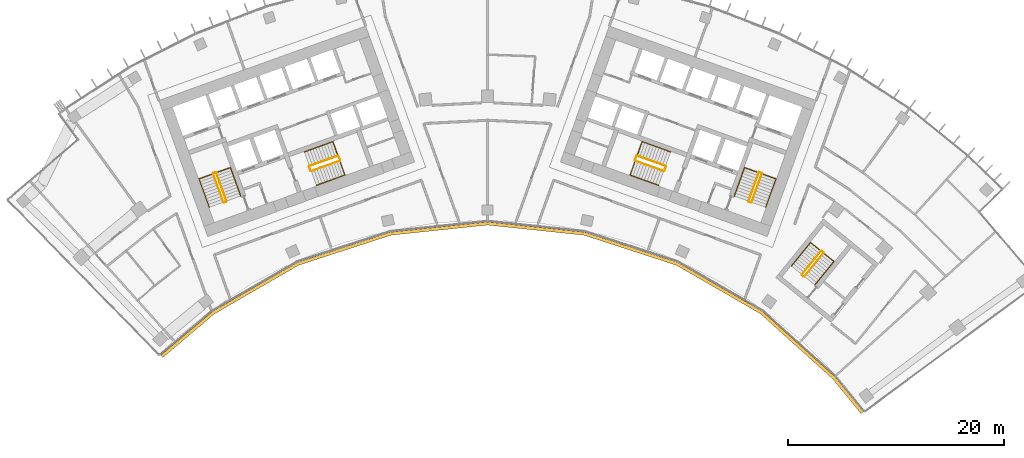
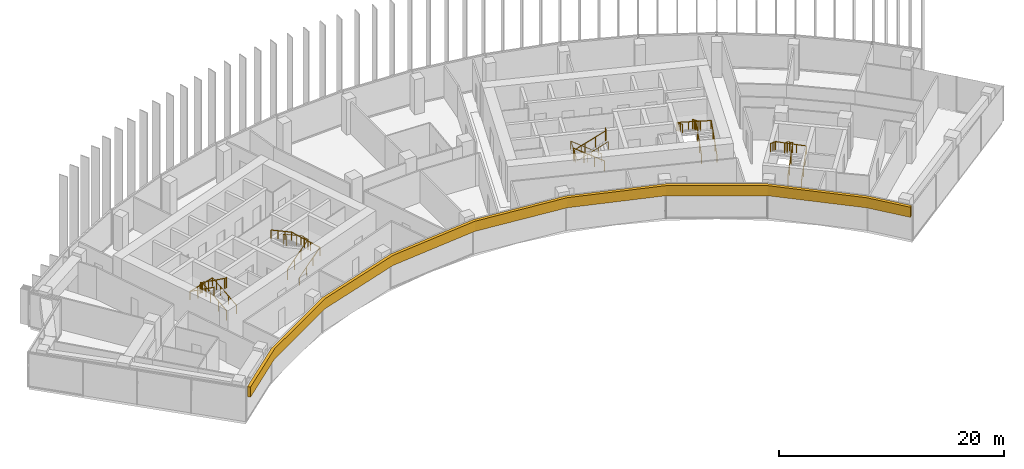
# One storey, part 19 of 19: 15 railings, 1 covering.
"""IFC4 building model written with IfcOpenShell, lengths in metres."""

from ifc_helpers import new_model, si_unit, direction, frame, origin, origin_2d, place, context, subcontext, project, spatial, polyline, circle, outline, extrude, material, layer, layer_set, type_object, element, save


model = new_model("IFC4")

# Units and contexts
model_context = context("Model", 3, precision=1e-05, world=origin(), true_north=direction((0.0, 1.0)))
body_context = subcontext(model_context, "Body", "Model", "MODEL_VIEW")
ifc_project = project(units=[si_unit("LENGTHUNIT", "METRE"), si_unit("AREAUNIT", "SQUARE_METRE"), si_unit("VOLUMEUNIT", "CUBIC_METRE"), si_unit("PLANEANGLEUNIT", "RADIAN"), si_unit("MASSUNIT", "GRAM", prefix="KILO")], contexts=[model_context])

# Site, building, storey
site_placement = place(None, origin())
site = spatial("IfcSite", under=ifc_project, at=site_placement, CompositionType="ELEMENT")
building_placement = place(site_placement, origin())
building = spatial("IfcBuilding", under=site, at=building_placement, Name="Stone Belt Terrace Tower", CompositionType="ELEMENT")
storey_placement = place(building_placement, frame((0.0, 0.0, 223.800048828125)))
storey = spatial("IfcBuildingStorey", under=building, at=storey_placement, Name="L54", CompositionType="ELEMENT", Elevation=223.800048828125)

# Railings
ifc_material_1 = material(Name="Structural steel C345", Category="steel")
railing_type_1 = type_object("IfcRailingType", Name="Stair guard 1100", PredefinedType="GUARDRAIL", material=ifc_material_1)
railing_1_placement = place(storey_placement, frame((-24.2119140625, 45.276123046875, 0.172607421875)))
element("IfcRailing", 1, at=railing_1_placement, inside=storey, type_object=railing_type_1, Name="L54 ST1A stair guard 1", PredefinedType="GUARDRAIL", context=body_context, shape_type="SweptSolid", body=[
    extrude(circle(Radius=0.02392578125, at=origin_2d()), frame((0.0, 0.0, 1.076171875), z_axis=(-0.288228637646, 0.800791768495, 0.525030280985), x_axis=(-0.940908529223, -0.338660803216, 0.0)), (0.0, 0.0, 1.0), 3.289794921875),
    extrude(circle(Radius=0.02392578125, at=origin_2d()), frame((-0.9482421875, 2.634521484375, 2.80322265625), z_axis=(-0.905209821074, 0.424964916, 0.0), x_axis=(-0.424964916, -0.905209821074, 0.0)), (0.0, 0.0, 1.0), 0.070556640625),
    extrude(circle(Radius=0.02392578125, at=origin_2d()), frame((-1.01220703125, 2.66455078125, 2.80322265625), z_axis=(-0.941105063269, -0.338114270461, 0.0), x_axis=(0.338114270461, -0.941105063269, 0.0)), (0.0, 0.0, 1.0), 0.199951171875),
    extrude(circle(Radius=0.02099609375, at=origin_2d()), origin(), (0.0, 0.0, 1.0), 1.052001953125),
    extrude(circle(Radius=0.02099609375, at=origin_2d()), frame((-0.316162109375, 0.878173828125, 0.57568359375)), (0.0, 0.0, 1.0), 1.052001953125),
    extrude(circle(Radius=0.02099609375, at=origin_2d()), frame((-0.632080078125, 1.75634765625, 1.151611328125)), (0.0, 0.0, 1.0), 1.052001953125),
    extrude(circle(Radius=0.02099609375, at=origin_2d()), frame((-0.9482421875, 2.634521484375, 1.727294921875)), (0.0, 0.0, 1.0), 1.052001953125),
    extrude(circle(Radius=0.02099609375, at=origin_2d()), frame((-1.01220703125, 2.66455078125, 1.727294921875)), (0.0, 0.0, 1.0), 1.052001953125),
    extrude(circle(Radius=0.02099609375, at=origin_2d()), frame((-1.200439453125, 2.596923828125, 1.727294921875)), (0.0, 0.0, 1.0), 1.052001953125),
])
railing_2_placement = place(storey_placement, frame((-25.4423828125, 47.80908203125, 2.07275390625)))
element("IfcRailing", 2, at=railing_2_placement, inside=storey, type_object=railing_type_1, Name="L54 ST1A stair guard 2", PredefinedType="GUARDRAIL", context=body_context, shape_type="SweptSolid", body=[
    extrude(circle(Radius=0.02392578125, at=origin_2d()), frame((0.0, 0.0, 1.076171875), z_axis=(0.288228637646, -0.800791768495, 0.525030280985), x_axis=(0.940908529223, 0.338660803216, 0.0)), (0.0, 0.0, 1.0), 3.289794921875),
    extrude(circle(Radius=0.02392578125, at=origin_2d()), frame((0.9482421875, -2.634521484375, 2.80322265625), z_axis=(0.903878284585, -0.427789722475, 0.0), x_axis=(0.427789722475, 0.903878284585, 0.0)), (0.0, 0.0, 1.0), 0.07080078125),
    extrude(circle(Radius=0.02392578125, at=origin_2d()), frame((1.01220703125, -2.664794921875, 2.80322265625), z_axis=(0.940575576748, 0.339584429008, 0.0), x_axis=(-0.339584429008, 0.940575576748, 0.0)), (0.0, 0.0, 1.0), 0.199951171875),
    extrude(circle(Radius=0.02099609375, at=origin_2d()), origin(), (0.0, 0.0, 1.0), 1.052001953125),
    extrude(circle(Radius=0.02099609375, at=origin_2d()), frame((0.316162109375, -0.878173828125, 0.57568359375)), (0.0, 0.0, 1.0), 1.052001953125),
    extrude(circle(Radius=0.02099609375, at=origin_2d()), frame((0.632080078125, -1.75634765625, 1.151611328125)), (0.0, 0.0, 1.0), 1.052001953125),
    extrude(circle(Radius=0.02099609375, at=origin_2d()), frame((0.9482421875, -2.634521484375, 1.727294921875)), (0.0, 0.0, 1.0), 1.052001953125),
    extrude(circle(Radius=0.02099609375, at=origin_2d()), frame((1.01220703125, -2.664794921875, 1.727294921875)), (0.0, 0.0, 1.0), 1.052001953125),
    extrude(circle(Radius=0.02099609375, at=origin_2d()), frame((1.2001953125, -2.596923828125, 1.727294921875)), (0.0, 0.0, 1.0), 1.052001953125),
])
railing_3_placement = place(storey_placement, frame((-16.33837890625, 48.056640625, 0.172607421875)))
element("IfcRailing", 3, at=railing_3_placement, inside=storey, type_object=railing_type_1, Name="L54 ST2A stair guard 1", PredefinedType="GUARDRAIL", context=body_context, shape_type="SweptSolid", body=[
    extrude(circle(Radius=0.02392578125, at=origin_2d()), frame((0.0, 0.0, 1.076171875), z_axis=(0.800808895155, 0.288160591223, 0.52504150989), x_axis=(-0.338583606334, 0.940936311087, 0.0)), (0.0, 0.0, 1.0), 3.289794921875),
    extrude(circle(Radius=0.02392578125, at=origin_2d()), frame((2.634521484375, 0.947998046875, 2.80322265625), z_axis=(0.427789722475, 0.903878284585, 0.0), x_axis=(-0.903878284585, 0.427789722475, 0.0)), (0.0, 0.0, 1.0), 0.07080078125),
    extrude(circle(Radius=0.02392578125, at=origin_2d()), frame((2.664794921875, 1.011962890625, 2.80322265625), z_axis=(-0.338654645739, 0.940910745459, 0.0), x_axis=(-0.940910745459, -0.338654645739, 0.0)), (0.0, 0.0, 1.0), 0.400146484375),
    extrude(circle(Radius=0.02099609375, at=origin_2d()), origin(), (0.0, 0.0, 1.0), 1.052001953125),
    extrude(circle(Radius=0.02099609375, at=origin_2d()), frame((0.878173828125, 0.31591796875, 0.57568359375)), (0.0, 0.0, 1.0), 1.052001953125),
    extrude(circle(Radius=0.02099609375, at=origin_2d()), frame((1.75634765625, 0.632080078125, 1.151611328125)), (0.0, 0.0, 1.0), 1.052001953125),
    extrude(circle(Radius=0.02099609375, at=origin_2d()), frame((2.634521484375, 0.947998046875, 1.727294921875)), (0.0, 0.0, 1.0), 1.052001953125),
    extrude(circle(Radius=0.02099609375, at=origin_2d()), frame((2.664794921875, 1.011962890625, 1.727294921875)), (0.0, 0.0, 1.0), 1.052001953125),
    extrude(circle(Radius=0.02099609375, at=origin_2d()), frame((2.529296875, 1.388427734375, 1.727294921875)), (0.0, 0.0, 1.0), 1.052001953125),
])
railing_4_placement = place(storey_placement, frame((-13.873046875, 49.47509765625, 2.07275390625)))
element("IfcRailing", 4, at=railing_4_placement, inside=storey, type_object=railing_type_1, Name="L54 ST2A stair guard 2", PredefinedType="GUARDRAIL", context=body_context, shape_type="SweptSolid", body=[
    extrude(circle(Radius=0.02392578125, at=origin_2d()), frame((0.0, 0.0, 1.076171875), z_axis=(-0.800808895155, -0.288160591223, 0.52504150989), x_axis=(0.338583606334, -0.940936311087, 0.0)), (0.0, 0.0, 1.0), 3.289794921875),
    extrude(circle(Radius=0.02392578125, at=origin_2d()), frame((-2.634521484375, -0.947998046875, 2.80322265625), z_axis=(-0.427789722475, -0.903878284585, 0.0), x_axis=(0.903878284585, -0.427789722475, 0.0)), (0.0, 0.0, 1.0), 0.07080078125),
    extrude(circle(Radius=0.02392578125, at=origin_2d()), frame((-2.664794921875, -1.011962890625, 2.80322265625), z_axis=(0.338654645739, -0.940910745459, 0.0), x_axis=(0.940910745459, 0.338654645739, 0.0)), (0.0, 0.0, 1.0), 0.400146484375),
    extrude(circle(Radius=0.02099609375, at=origin_2d()), origin(), (0.0, 0.0, 1.0), 1.052001953125),
    extrude(circle(Radius=0.02099609375, at=origin_2d()), frame((-0.878173828125, -0.31591796875, 0.57568359375)), (0.0, 0.0, 1.0), 1.052001953125),
    extrude(circle(Radius=0.02099609375, at=origin_2d()), frame((-1.75634765625, -0.632080078125, 1.151611328125)), (0.0, 0.0, 1.0), 1.052001953125),
    extrude(circle(Radius=0.02099609375, at=origin_2d()), frame((-2.634521484375, -0.947998046875, 1.727294921875)), (0.0, 0.0, 1.0), 1.052001953125),
    extrude(circle(Radius=0.02099609375, at=origin_2d()), frame((-2.664794921875, -1.011962890625, 1.727294921875)), (0.0, 0.0, 1.0), 1.052001953125),
    extrude(circle(Radius=0.02099609375, at=origin_2d()), frame((-2.529296875, -1.388427734375, 1.727294921875)), (0.0, 0.0, 1.0), 1.052001953125),
])
railing_5_placement = place(storey_placement, frame((24.494140625, 45.174560546875, 0.172607421875)))
element("IfcRailing", 5, at=railing_5_placement, inside=storey, type_object=railing_type_1, Name="L54 ST1B stair guard 1", PredefinedType="GUARDRAIL", context=body_context, shape_type="SweptSolid", body=[
    extrude(circle(Radius=0.02392578125, at=origin_2d()), frame((0.0, 0.0, 1.076171875), z_axis=(0.288228637646, 0.800791768495, 0.525030280985), x_axis=(-0.940908529223, 0.338660803216, 0.0)), (0.0, 0.0, 1.0), 3.289794921875),
    extrude(circle(Radius=0.02392578125, at=origin_2d()), frame((0.9482421875, 2.634521484375, 2.80322265625), z_axis=(-0.424964916, 0.905209821074, 0.0), x_axis=(-0.905209821074, -0.424964916, 0.0)), (0.0, 0.0, 1.0), 0.070556640625),
    extrude(circle(Radius=0.02392578125, at=origin_2d()), frame((0.918212890625, 2.698486328125, 2.80322265625), z_axis=(-0.941105063269, 0.338114270461, 0.0), x_axis=(-0.338114270461, -0.941105063269, 0.0)), (0.0, 0.0, 1.0), 0.199951171875),
    extrude(circle(Radius=0.02099609375, at=origin_2d()), origin(), (0.0, 0.0, 1.0), 1.052001953125),
    extrude(circle(Radius=0.02099609375, at=origin_2d()), frame((0.316162109375, 0.878173828125, 0.57568359375)), (0.0, 0.0, 1.0), 1.052001953125),
    extrude(circle(Radius=0.02099609375, at=origin_2d()), frame((0.632080078125, 1.75634765625, 1.151611328125)), (0.0, 0.0, 1.0), 1.052001953125),
    extrude(circle(Radius=0.02099609375, at=origin_2d()), frame((0.9482421875, 2.634521484375, 1.727294921875)), (0.0, 0.0, 1.0), 1.052001953125),
    extrude(circle(Radius=0.02099609375, at=origin_2d()), frame((0.918212890625, 2.698486328125, 1.727294921875)), (0.0, 0.0, 1.0), 1.052001953125),
    extrude(circle(Radius=0.02099609375, at=origin_2d()), frame((0.72998046875, 2.76611328125, 1.727294921875)), (0.0, 0.0, 1.0), 1.052001953125),
])
railing_6_placement = place(storey_placement, frame((25.16015625, 47.91064453125, 2.07275390625)))
element("IfcRailing", 6, at=railing_6_placement, inside=storey, type_object=railing_type_1, Name="L54 ST1B stair guard 2", PredefinedType="GUARDRAIL", context=body_context, shape_type="SweptSolid", body=[
    extrude(circle(Radius=0.02392578125, at=origin_2d()), frame((0.0, 0.0, 1.076171875), z_axis=(-0.288228637646, -0.800791768495, 0.525030280985), x_axis=(0.940908529223, -0.338660803216, 0.0)), (0.0, 0.0, 1.0), 3.289794921875),
    extrude(circle(Radius=0.02392578125, at=origin_2d()), frame((-0.9482421875, -2.634521484375, 2.80322265625), z_axis=(0.427789722475, -0.903878284585, 0.0), x_axis=(0.903878284585, 0.427789722475, 0.0)), (0.0, 0.0, 1.0), 0.07080078125),
    extrude(circle(Radius=0.02392578125, at=origin_2d()), frame((-0.91796875, -2.698486328125, 2.80322265625), z_axis=(0.940575576748, -0.339584429008, 0.0), x_axis=(0.339584429008, 0.940575576748, 0.0)), (0.0, 0.0, 1.0), 0.199951171875),
    extrude(circle(Radius=0.02099609375, at=origin_2d()), origin(), (0.0, 0.0, 1.0), 1.052001953125),
    extrude(circle(Radius=0.02099609375, at=origin_2d()), frame((-0.316162109375, -0.878173828125, 0.57568359375)), (0.0, 0.0, 1.0), 1.052001953125),
    extrude(circle(Radius=0.02099609375, at=origin_2d()), frame((-0.632080078125, -1.75634765625, 1.151611328125)), (0.0, 0.0, 1.0), 1.052001953125),
    extrude(circle(Radius=0.02099609375, at=origin_2d()), frame((-0.9482421875, -2.634521484375, 1.727294921875)), (0.0, 0.0, 1.0), 1.052001953125),
    extrude(circle(Radius=0.02099609375, at=origin_2d()), frame((-0.91796875, -2.698486328125, 1.727294921875)), (0.0, 0.0, 1.0), 1.052001953125),
    extrude(circle(Radius=0.02099609375, at=origin_2d()), frame((-0.72998046875, -2.766357421875, 1.727294921875)), (0.0, 0.0, 1.0), 1.052001953125),
])
railing_7_placement = place(storey_placement, frame((16.507568359375, 48.527099609375, 0.172607421875)))
element("IfcRailing", 7, at=railing_7_placement, inside=storey, type_object=railing_type_1, Name="L54 ST2B stair guard 1", PredefinedType="GUARDRAIL", context=body_context, shape_type="SweptSolid", body=[
    extrude(circle(Radius=0.02392578125, at=origin_2d()), frame((0.0, 0.0, 1.076171875), z_axis=(-0.800808895155, 0.288160591223, 0.52504150989), x_axis=(-0.338583606334, -0.940936311087, 0.0)), (0.0, 0.0, 1.0), 3.289794921875),
    extrude(circle(Radius=0.02392578125, at=origin_2d()), frame((-2.634521484375, 0.947998046875, 2.80322265625), z_axis=(-0.905209821074, -0.424964916, 0.0), x_axis=(0.424964916, -0.905209821074, 0.0)), (0.0, 0.0, 1.0), 0.070556640625),
    extrude(circle(Radius=0.02392578125, at=origin_2d()), frame((-2.698486328125, 0.91796875, 2.80322265625), z_axis=(-0.338654645739, -0.940910745459, 0.0), x_axis=(0.940910745459, -0.338654645739, 0.0)), (0.0, 0.0, 1.0), 0.400146484375),
    extrude(circle(Radius=0.02099609375, at=origin_2d()), origin(), (0.0, 0.0, 1.0), 1.052001953125),
    extrude(circle(Radius=0.02099609375, at=origin_2d()), frame((-0.878173828125, 0.31591796875, 0.57568359375)), (0.0, 0.0, 1.0), 1.052001953125),
    extrude(circle(Radius=0.02099609375, at=origin_2d()), frame((-1.75634765625, 0.632080078125, 1.151611328125)), (0.0, 0.0, 1.0), 1.052001953125),
    extrude(circle(Radius=0.02099609375, at=origin_2d()), frame((-2.634521484375, 0.947998046875, 1.727294921875)), (0.0, 0.0, 1.0), 1.052001953125),
    extrude(circle(Radius=0.02099609375, at=origin_2d()), frame((-2.698486328125, 0.91796875, 1.727294921875)), (0.0, 0.0, 1.0), 1.052001953125),
    extrude(circle(Radius=0.02099609375, at=origin_2d()), frame((-2.833984375, 0.54150390625, 1.727294921875)), (0.0, 0.0, 1.0), 1.052001953125),
])
railing_8_placement = place(storey_placement, frame((13.703857421875, 49.004638671875, 2.07275390625)))
element("IfcRailing", 8, at=railing_8_placement, inside=storey, type_object=railing_type_1, Name="L54 ST2B stair guard 2", PredefinedType="GUARDRAIL", context=body_context, shape_type="SweptSolid", body=[
    extrude(circle(Radius=0.02392578125, at=origin_2d()), frame((0.0, 0.0, 1.076171875), z_axis=(0.800808895155, -0.288160591223, 0.52504150989), x_axis=(0.338583606334, 0.940936311087, 0.0)), (0.0, 0.0, 1.0), 3.289794921875),
    extrude(circle(Radius=0.02392578125, at=origin_2d()), frame((2.634521484375, -0.947998046875, 2.80322265625), z_axis=(0.905209821074, 0.424964916, 0.0), x_axis=(-0.424964916, 0.905209821074, 0.0)), (0.0, 0.0, 1.0), 0.070556640625),
    extrude(circle(Radius=0.02392578125, at=origin_2d()), frame((2.698486328125, -0.91796875, 2.80322265625), z_axis=(0.338654645739, 0.940910745459, 0.0), x_axis=(-0.940910745459, 0.338654645739, 0.0)), (0.0, 0.0, 1.0), 0.400146484375),
    extrude(circle(Radius=0.02099609375, at=origin_2d()), origin(), (0.0, 0.0, 1.0), 1.052001953125),
    extrude(circle(Radius=0.02099609375, at=origin_2d()), frame((0.878173828125, -0.31591796875, 0.57568359375)), (0.0, 0.0, 1.0), 1.052001953125),
    extrude(circle(Radius=0.02099609375, at=origin_2d()), frame((1.75634765625, -0.632080078125, 1.151611328125)), (0.0, 0.0, 1.0), 1.052001953125),
    extrude(circle(Radius=0.02099609375, at=origin_2d()), frame((2.634521484375, -0.947998046875, 1.727294921875)), (0.0, 0.0, 1.0), 1.052001953125),
    extrude(circle(Radius=0.02099609375, at=origin_2d()), frame((2.698486328125, -0.91796875, 1.727294921875)), (0.0, 0.0, 1.0), 1.052001953125),
    extrude(circle(Radius=0.02099609375, at=origin_2d()), frame((2.833984375, -0.54150390625, 1.727294921875)), (0.0, 0.0, 1.0), 1.052001953125),
])
railing_9_placement = place(storey_placement, frame((29.39794921875, 38.281982421875, 0.172607421875)))
element("IfcRailing", 9, at=railing_9_placement, inside=storey, type_object=railing_type_1, Name="L54 ST3B stair guard 1", PredefinedType="GUARDRAIL", context=body_context, shape_type="SweptSolid", body=[
    extrude(circle(Radius=0.02392578125, at=origin_2d()), frame((0.0, 0.0, 1.076171875), z_axis=(0.536393061503, 0.660769759217, 0.525038864158), x_axis=(-0.776391310223, 0.630251166924, 0.0)), (0.0, 0.0, 1.0), 3.289794921875),
    extrude(circle(Radius=0.02392578125, at=origin_2d()), frame((1.7646484375, 2.173828125, 2.80322265625), z_axis=(-0.103251414163, 0.994655289773, 0.0), x_axis=(-0.994655289773, -0.103251414163, 0.0)), (0.0, 0.0, 1.0), 0.071044921875),
    extrude(circle(Radius=0.02392578125, at=origin_2d()), frame((1.75732421875, 2.244384765625, 2.80322265625), z_axis=(-0.776561986372, 0.630040856868, 0.0), x_axis=(-0.630040856868, -0.776561986372, 0.0)), (0.0, 0.0, 1.0), 0.199951171875),
    extrude(circle(Radius=0.02099609375, at=origin_2d()), origin(), (0.0, 0.0, 1.0), 1.052001953125),
    extrude(circle(Radius=0.02099609375, at=origin_2d()), frame((0.588134765625, 0.724609375, 0.57568359375)), (0.0, 0.0, 1.0), 1.052001953125),
    extrude(circle(Radius=0.02099609375, at=origin_2d()), frame((1.176513671875, 1.44921875, 1.151611328125)), (0.0, 0.0, 1.0), 1.052001953125),
    extrude(circle(Radius=0.02099609375, at=origin_2d()), frame((1.7646484375, 2.173828125, 1.727294921875)), (0.0, 0.0, 1.0), 1.052001953125),
    extrude(circle(Radius=0.02099609375, at=origin_2d()), frame((1.75732421875, 2.244384765625, 1.727294921875)), (0.0, 0.0, 1.0), 1.052001953125),
    extrude(circle(Radius=0.02099609375, at=origin_2d()), frame((1.60205078125, 2.370361328125, 1.727294921875)), (0.0, 0.0, 1.0), 1.052001953125),
])
railing_10_placement = place(storey_placement, frame((30.9296875, 40.64501953125, 2.07275390625)))
element("IfcRailing", 10, at=railing_10_placement, inside=storey, type_object=railing_type_1, Name="L54 ST3B stair guard 2", PredefinedType="GUARDRAIL", context=body_context, shape_type="SweptSolid", body=[
    extrude(circle(Radius=0.02392578125, at=origin_2d()), frame((0.0, 0.0, 1.076171875), z_axis=(-0.536366759382, -0.660811565066, 0.525013118792), x_axis=(0.776425942316, -0.630208502084, 0.0)), (0.0, 0.0, 1.0), 3.2900390625),
    extrude(circle(Radius=0.02392578125, at=origin_2d()), frame((-1.7646484375, -2.174072265625, 2.80322265625), z_axis=(0.103606084259, -0.994618408891, 0.0), x_axis=(0.994618408891, 0.103606084259, 0.0)), (0.0, 0.0, 1.0), 0.07080078125),
    extrude(circle(Radius=0.02392578125, at=origin_2d()), frame((-1.75732421875, -2.244384765625, 2.80322265625), z_axis=(0.776561986372, -0.630040856868, 0.0), x_axis=(0.630040856868, 0.776561986372, 0.0)), (0.0, 0.0, 1.0), 0.199951171875),
    extrude(circle(Radius=0.02099609375, at=origin_2d()), origin(), (0.0, 0.0, 1.0), 1.052001953125),
    extrude(circle(Radius=0.02099609375, at=origin_2d()), frame((-0.588134765625, -0.724609375, 0.57568359375)), (0.0, 0.0, 1.0), 1.052001953125),
    extrude(circle(Radius=0.02099609375, at=origin_2d()), frame((-1.176513671875, -1.449462890625, 1.151611328125)), (0.0, 0.0, 1.0), 1.052001953125),
    extrude(circle(Radius=0.02099609375, at=origin_2d()), frame((-1.7646484375, -2.174072265625, 1.727294921875)), (0.0, 0.0, 1.0), 1.052001953125),
    extrude(circle(Radius=0.02099609375, at=origin_2d()), frame((-1.75732421875, -2.244384765625, 1.727294921875)), (0.0, 0.0, 1.0), 1.052001953125),
    extrude(circle(Radius=0.02099609375, at=origin_2d()), frame((-1.60205078125, -2.370361328125, 1.727294921875)), (0.0, 0.0, 1.0), 1.052001953125),
])
railing_type_2 = type_object("IfcRailingType", Name="Stair handrail 900", PredefinedType="HANDRAIL", material=ifc_material_1)
railing_11_placement = place(storey_placement, frame((-22.894775390625, 45.750244140625, 0.172607421875)))
element("IfcRailing", 11, at=railing_11_placement, inside=storey, type_object=railing_type_2, Name="L54 ST1A stair handrail 1", PredefinedType="HANDRAIL", context=body_context, shape_type="SweptSolid", body=[
    extrude(circle(Radius=0.02392578125, at=origin_2d()), frame((0.0, 0.0, 0.8759765625), z_axis=(-0.288160591223, 0.800808895155, 0.52504150989), x_axis=(-0.940936311087, -0.338583606334, 0.0)), (0.0, 0.0, 1.0), 3.289794921875),
    extrude(circle(Radius=0.02392578125, at=origin_2d()), frame((-0.947998046875, 2.634521484375, 2.60302734375), z_axis=(-0.939460408074, -0.338105101667, 0.055669398135), x_axis=(0.338630230244, -0.940919532779, 0.0)), (0.0, 0.0, 1.0), 3.10498046875),
    extrude(circle(Radius=0.02392578125, at=origin_2d()), frame((-3.864990234375, 1.584716796875, 2.77587890625), z_axis=(0.288228637646, -0.800791768495, 0.525030280985), x_axis=(0.940908529223, 0.338660803216, 0.0)), (0.0, 0.0, 1.0), 3.289794921875),
    extrude(circle(Radius=0.02099609375, at=origin_2d()), origin(), (0.0, 0.0, 1.0), 0.851806640625),
    extrude(circle(Radius=0.02099609375, at=origin_2d()), frame((-0.31591796875, 0.878173828125, 0.57568359375)), (0.0, 0.0, 1.0), 0.851806640625),
    extrude(circle(Radius=0.02099609375, at=origin_2d()), frame((-0.632080078125, 1.75634765625, 1.151611328125)), (0.0, 0.0, 1.0), 0.851806640625),
    extrude(circle(Radius=0.02099609375, at=origin_2d()), frame((-0.947998046875, 2.634521484375, 1.727294921875)), (0.0, 0.0, 1.0), 0.851806640625),
    extrude(circle(Radius=0.02099609375, at=origin_2d()), frame((-1.92041015625, 2.28466796875, 1.784912109375)), (0.0, 0.0, 1.0), 0.851806640625),
    extrude(circle(Radius=0.02099609375, at=origin_2d()), frame((-2.892578125, 1.9345703125, 1.842529296875)), (0.0, 0.0, 1.0), 0.851806640625),
    extrude(circle(Radius=0.02099609375, at=origin_2d()), frame((-3.864990234375, 1.584716796875, 1.900146484375)), (0.0, 0.0, 1.0), 0.851806640625),
    extrude(circle(Radius=0.02099609375, at=origin_2d()), frame((-3.548828125, 0.70654296875, 2.475830078125)), (0.0, 0.0, 1.0), 0.851806640625),
    extrude(circle(Radius=0.02099609375, at=origin_2d()), frame((-3.23291015625, -0.171630859375, 3.0517578125)), (0.0, 0.0, 1.0), 0.851806640625),
    extrude(circle(Radius=0.02099609375, at=origin_2d()), frame((-2.916748046875, -1.0498046875, 3.62744140625)), (0.0, 0.0, 1.0), 0.851806640625),
])
railing_12_placement = place(storey_placement, frame((-15.8642578125, 46.7392578125, 0.172607421875)))
element("IfcRailing", 12, at=railing_12_placement, inside=storey, type_object=railing_type_2, Name="L54 ST2A stair handrail 1", PredefinedType="HANDRAIL", context=body_context, shape_type="SweptSolid", body=[
    extrude(circle(Radius=0.02392578125, at=origin_2d()), frame((0.0, 0.0, 0.8759765625), z_axis=(0.800791768495, 0.288228637646, 0.525030280985), x_axis=(-0.338660803216, 0.940908529223, 0.0)), (0.0, 0.0, 1.0), 3.289794921875),
    extrude(circle(Radius=0.02392578125, at=origin_2d()), frame((2.634521484375, 0.9482421875, 2.60302734375), z_axis=(-0.338158948057, 0.939634149308, 0.052308615955), x_axis=(-0.940922302781, -0.338622533404, 0.0)), (0.0, 0.0, 1.0), 3.304443359375),
    extrude(circle(Radius=0.02392578125, at=origin_2d()), frame((1.51708984375, 4.05322265625, 2.77587890625), z_axis=(-0.800791768495, -0.288228637646, 0.525030280985), x_axis=(0.338660803216, -0.940908529223, 0.0)), (0.0, 0.0, 1.0), 3.289794921875),
    extrude(circle(Radius=0.02099609375, at=origin_2d()), origin(), (0.0, 0.0, 1.0), 0.851806640625),
    extrude(circle(Radius=0.02099609375, at=origin_2d()), frame((0.878173828125, 0.316162109375, 0.57568359375)), (0.0, 0.0, 1.0), 0.851806640625),
    extrude(circle(Radius=0.02099609375, at=origin_2d()), frame((1.75634765625, 0.632080078125, 1.151611328125)), (0.0, 0.0, 1.0), 0.851806640625),
    extrude(circle(Radius=0.02099609375, at=origin_2d()), frame((2.634521484375, 0.9482421875, 1.727294921875)), (0.0, 0.0, 1.0), 0.851806640625),
    extrude(circle(Radius=0.02099609375, at=origin_2d()), frame((2.261962890625, 1.983154296875, 1.784912109375)), (0.0, 0.0, 1.0), 0.851806640625),
    extrude(circle(Radius=0.02099609375, at=origin_2d()), frame((1.8896484375, 3.018310546875, 1.842529296875)), (0.0, 0.0, 1.0), 0.851806640625),
    extrude(circle(Radius=0.02099609375, at=origin_2d()), frame((1.51708984375, 4.05322265625, 1.900146484375)), (0.0, 0.0, 1.0), 0.851806640625),
    extrude(circle(Radius=0.02099609375, at=origin_2d()), frame((0.638916015625, 3.737060546875, 2.475830078125)), (0.0, 0.0, 1.0), 0.851806640625),
    extrude(circle(Radius=0.02099609375, at=origin_2d()), frame((-0.2392578125, 3.421142578125, 3.0517578125)), (0.0, 0.0, 1.0), 0.851806640625),
    extrude(circle(Radius=0.02099609375, at=origin_2d()), frame((-1.117431640625, 3.10498046875, 3.62744140625)), (0.0, 0.0, 1.0), 0.851806640625),
])
railing_13_placement = place(storey_placement, frame((25.8115234375, 44.700439453125, 0.172607421875)))
element("IfcRailing", 13, at=railing_13_placement, inside=storey, type_object=railing_type_2, Name="L54 ST1B stair handrail 1", PredefinedType="HANDRAIL", context=body_context, shape_type="SweptSolid", body=[
    extrude(circle(Radius=0.02392578125, at=origin_2d()), frame((0.0, 0.0, 0.8759765625), z_axis=(0.288228637646, 0.800791768495, 0.525030280985), x_axis=(-0.940908529223, 0.338660803216, 0.0)), (0.0, 0.0, 1.0), 3.289794921875),
    extrude(circle(Radius=0.02392578125, at=origin_2d()), frame((0.9482421875, 2.634521484375, 2.60302734375), z_axis=(-0.939460408074, 0.338105101667, 0.055669398135), x_axis=(-0.338630230244, -0.940919532779, 0.0)), (0.0, 0.0, 1.0), 3.10498046875),
    extrude(circle(Radius=0.02392578125, at=origin_2d()), frame((-1.96875, 3.684326171875, 2.77587890625), z_axis=(-0.288160591223, -0.800808895155, 0.52504150989), x_axis=(0.940936311087, -0.338583606334, 0.0)), (0.0, 0.0, 1.0), 3.289794921875),
    extrude(circle(Radius=0.02099609375, at=origin_2d()), origin(), (0.0, 0.0, 1.0), 0.851806640625),
    extrude(circle(Radius=0.02099609375, at=origin_2d()), frame((0.316162109375, 0.878173828125, 0.57568359375)), (0.0, 0.0, 1.0), 0.851806640625),
    extrude(circle(Radius=0.02099609375, at=origin_2d()), frame((0.632080078125, 1.75634765625, 1.151611328125)), (0.0, 0.0, 1.0), 0.851806640625),
    extrude(circle(Radius=0.02099609375, at=origin_2d()), frame((0.9482421875, 2.634521484375, 1.727294921875)), (0.0, 0.0, 1.0), 0.851806640625),
    extrude(circle(Radius=0.02099609375, at=origin_2d()), frame((-0.024169921875, 2.984375, 1.784912109375)), (0.0, 0.0, 1.0), 0.851806640625),
    extrude(circle(Radius=0.02099609375, at=origin_2d()), frame((-0.996337890625, 3.33447265625, 1.842529296875)), (0.0, 0.0, 1.0), 0.851806640625),
    extrude(circle(Radius=0.02099609375, at=origin_2d()), frame((-1.96875, 3.684326171875, 1.900146484375)), (0.0, 0.0, 1.0), 0.851806640625),
    extrude(circle(Radius=0.02099609375, at=origin_2d()), frame((-2.28466796875, 2.80615234375, 2.475830078125)), (0.0, 0.0, 1.0), 0.851806640625),
    extrude(circle(Radius=0.02099609375, at=origin_2d()), frame((-2.600830078125, 1.927978515625, 3.0517578125)), (0.0, 0.0, 1.0), 0.851806640625),
    extrude(circle(Radius=0.02099609375, at=origin_2d()), frame((-2.916748046875, 1.0498046875, 3.62744140625)), (0.0, 0.0, 1.0), 0.851806640625),
])
railing_14_placement = place(storey_placement, frame((16.981689453125, 49.84423828125, 0.172607421875)))
element("IfcRailing", 14, at=railing_14_placement, inside=storey, type_object=railing_type_2, Name="L54 ST2B stair handrail 1", PredefinedType="HANDRAIL", context=body_context, shape_type="SweptSolid", body=[
    extrude(circle(Radius=0.02392578125, at=origin_2d()), frame((0.0, 0.0, 0.8759765625), z_axis=(-0.800791768495, 0.288228637646, 0.525030280985), x_axis=(-0.338660803216, -0.940908529223, 0.0)), (0.0, 0.0, 1.0), 3.289794921875),
    extrude(circle(Radius=0.02392578125, at=origin_2d()), frame((-2.634521484375, 0.9482421875, 2.60302734375), z_axis=(-0.338158948057, -0.939634149308, 0.052308615955), x_axis=(0.940922302781, -0.338622533404, 0.0)), (0.0, 0.0, 1.0), 3.304443359375),
    extrude(circle(Radius=0.02392578125, at=origin_2d()), frame((-3.751953125, -2.15673828125, 2.77587890625), z_axis=(0.800791768495, -0.288228637646, 0.525030280985), x_axis=(0.338660803216, 0.940908529223, 0.0)), (0.0, 0.0, 1.0), 3.289794921875),
    extrude(circle(Radius=0.02099609375, at=origin_2d()), origin(), (0.0, 0.0, 1.0), 0.851806640625),
    extrude(circle(Radius=0.02099609375, at=origin_2d()), frame((-0.878173828125, 0.316162109375, 0.57568359375)), (0.0, 0.0, 1.0), 0.851806640625),
    extrude(circle(Radius=0.02099609375, at=origin_2d()), frame((-1.75634765625, 0.632080078125, 1.151611328125)), (0.0, 0.0, 1.0), 0.851806640625),
    extrude(circle(Radius=0.02099609375, at=origin_2d()), frame((-2.634521484375, 0.9482421875, 1.727294921875)), (0.0, 0.0, 1.0), 0.851806640625),
    extrude(circle(Radius=0.02099609375, at=origin_2d()), frame((-3.007080078125, -0.086669921875, 1.784912109375)), (0.0, 0.0, 1.0), 0.851806640625),
    extrude(circle(Radius=0.02099609375, at=origin_2d()), frame((-3.37939453125, -1.121826171875, 1.842529296875)), (0.0, 0.0, 1.0), 0.851806640625),
    extrude(circle(Radius=0.02099609375, at=origin_2d()), frame((-3.751953125, -2.15673828125, 1.900146484375)), (0.0, 0.0, 1.0), 0.851806640625),
    extrude(circle(Radius=0.02099609375, at=origin_2d()), frame((-2.873779296875, -2.472900390625, 2.475830078125)), (0.0, 0.0, 1.0), 0.851806640625),
    extrude(circle(Radius=0.02099609375, at=origin_2d()), frame((-1.99560546875, -2.788818359375, 3.0517578125)), (0.0, 0.0, 1.0), 0.851806640625),
    extrude(circle(Radius=0.02099609375, at=origin_2d()), frame((-1.117431640625, -3.10498046875, 3.62744140625)), (0.0, 0.0, 1.0), 0.851806640625),
])
railing_15_placement = place(storey_placement, frame((30.36865234375, 37.494140625, 0.172607421875)))
element("IfcRailing", 15, at=railing_15_placement, inside=storey, type_object=railing_type_2, Name="L54 ST3B stair handrail 1", PredefinedType="HANDRAIL", context=body_context, shape_type="SweptSolid", body=[
    extrude(circle(Radius=0.02392578125, at=origin_2d()), frame((0.0, 0.0, 0.8759765625), z_axis=(0.536366759382, 0.660811565066, 0.525013118792), x_axis=(-0.776425942316, 0.630208502084, 0.0)), (0.0, 0.0, 1.0), 3.2900390625),
    extrude(circle(Radius=0.02392578125, at=origin_2d()), frame((1.7646484375, 2.174072265625, 2.60302734375), z_axis=(-0.774950814199, 0.629011171817, 0.061613158501), x_axis=(-0.630208502084, -0.776425942316, 0.0)), (0.0, 0.0, 1.0), 2.805419921875),
    extrude(circle(Radius=0.02392578125, at=origin_2d()), frame((-0.409423828125, 3.938720703125, 2.77587890625), z_axis=(-0.536366759382, -0.660811565066, 0.525013118792), x_axis=(0.776425942316, -0.630208502084, 0.0)), (0.0, 0.0, 1.0), 3.2900390625),
    extrude(circle(Radius=0.02099609375, at=origin_2d()), origin(), (0.0, 0.0, 1.0), 0.851806640625),
    extrude(circle(Radius=0.02099609375, at=origin_2d()), frame((0.588134765625, 0.724609375, 0.57568359375)), (0.0, 0.0, 1.0), 0.851806640625),
    extrude(circle(Radius=0.02099609375, at=origin_2d()), frame((1.176513671875, 1.449462890625, 1.151611328125)), (0.0, 0.0, 1.0), 0.851806640625),
    extrude(circle(Radius=0.02099609375, at=origin_2d()), frame((1.7646484375, 2.174072265625, 1.727294921875)), (0.0, 0.0, 1.0), 0.851806640625),
    extrude(circle(Radius=0.02099609375, at=origin_2d()), frame((1.0400390625, 2.76220703125, 1.784912109375)), (0.0, 0.0, 1.0), 0.851806640625),
    extrude(circle(Radius=0.02099609375, at=origin_2d()), frame((0.315185546875, 3.3505859375, 1.842529296875)), (0.0, 0.0, 1.0), 0.851806640625),
    extrude(circle(Radius=0.02099609375, at=origin_2d()), frame((-0.409423828125, 3.938720703125, 1.900146484375)), (0.0, 0.0, 1.0), 0.851806640625),
    extrude(circle(Radius=0.02099609375, at=origin_2d()), frame((-0.99755859375, 3.214111328125, 2.475830078125)), (0.0, 0.0, 1.0), 0.851806640625),
    extrude(circle(Radius=0.02099609375, at=origin_2d()), frame((-1.5859375, 2.4892578125, 3.0517578125)), (0.0, 0.0, 1.0), 0.851806640625),
    extrude(circle(Radius=0.02099609375, at=origin_2d()), frame((-2.174072265625, 1.7646484375, 3.62744140625)), (0.0, 0.0, 1.0), 0.851806640625),
])

# Covering
ifc_material_2 = material(Name="Terracotta coloured glazed ceramic", Category="masonry")
ifc_layer = layer(ifc_material_2, 0.300048828125)
ifc_layer_set = layer_set([ifc_layer], Name="Terracotta spandrel band 300 x 1100")
covering_type = type_object("IfcCoveringType", Name="Terracotta spandrel band 300 x 1100", PredefinedType="CLADDING", material=ifc_layer_set)
covering_placement = place(storey_placement, frame((0.0, 0.0, 2.699951171875)))
element("IfcCovering", 16, at=covering_placement, inside=storey, type_object=covering_type, Name="BAND L54", PredefinedType="CLADDING", context=body_context, shape_type="SweptSolid", body=[
    extrude(outline(polyline([(-30.32666015625, 30.9765625), (-25.482177734375, 35.069091796875), (-17.631591796875, 39.6015625), (-9.0126953125, 42.40185546875), (0.0, 43.34912109375), (9.0126953125, 42.40185546875), (17.631591796875, 39.6015625), (25.47998046875, 35.0703125), (32.2177734375, 29.00341796875), (34.8720703125, 25.752197265625), (34.6396484375, 25.5625), (32.0, 28.7958984375), (25.302734375, 34.826171875), (17.509033203125, 39.325927734375), (8.9501953125, 42.10693359375), (0.0, 43.047607421875), (-8.9501953125, 42.10693359375), (-17.509033203125, 39.325927734375), (-25.308837890625, 34.822509765625), (-30.133056640625, 30.747314453125), (-30.32666015625, 30.9765625)])), origin(), (0.0, 0.0, 1.0), 1.10009765625),
])

save(model, "model.ifc")
